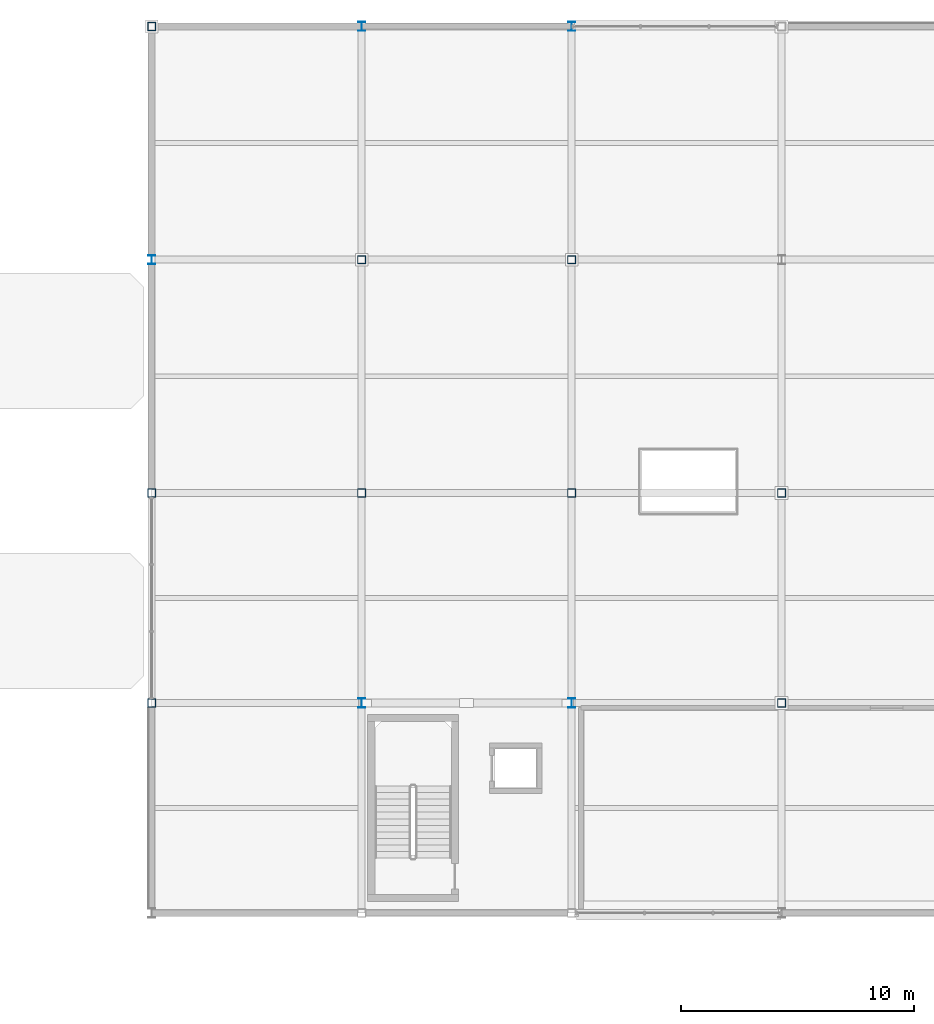
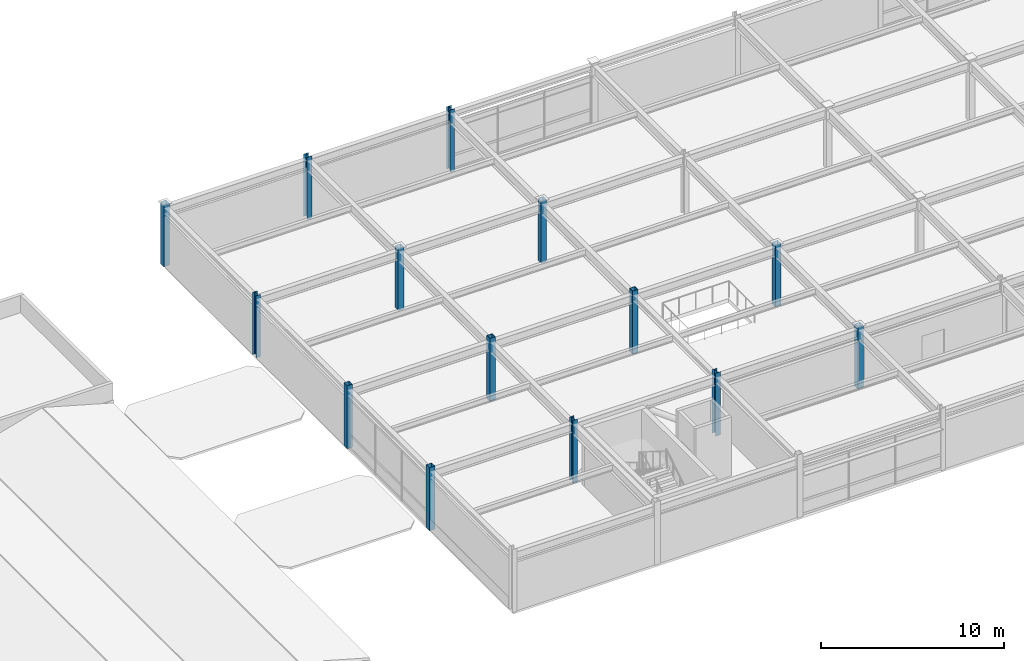
# One storey, part 3 of 40: 14 columns.
"""IFC4 building model written with IfcOpenShell, lengths in metres."""

from ifc_helpers import new_model, si_unit, direction, frame, origin, origin_2d, place, context, subcontext, project, spatial, hollow_rectangle, i_section, extrude, material, material_profile, profile_set, type_object, element, save


model = new_model("IFC4")

# Units and contexts
model_context = context("Model", 3, precision=1e-05, world=origin(), true_north=direction((0.0, 1.0)))
body_context = subcontext(model_context, "Body", "Model", "MODEL_VIEW")
ifc_project = project(units=[si_unit("LENGTHUNIT", "METRE"), si_unit("AREAUNIT", "SQUARE_METRE"), si_unit("VOLUMEUNIT", "CUBIC_METRE"), si_unit("PLANEANGLEUNIT", "RADIAN"), si_unit("MASSUNIT", "GRAM", prefix="KILO")], contexts=[model_context])

# Site, building, storey
site_placement = place(None, origin())
site = spatial("IfcSite", under=ifc_project, at=site_placement, CompositionType="ELEMENT")
building_placement = place(site_placement, origin())
building = spatial("IfcBuilding", under=site, at=building_placement, Name="Suzunagisa Mobility Hub", CompositionType="ELEMENT")
storey_placement = place(building_placement, frame((0.0, 0.0, 21.89990234375)))
storey = spatial("IfcBuildingStorey", under=building, at=storey_placement, Name="L05", CompositionType="ELEMENT", Elevation=21.89990234375)

# Columns
ifc_material = material(Name="Steel SN490B", Category="steel")
ifc_material_profile_1 = material_profile(ifc_material, hollow_rectangle(XDim=0.35009765625, YDim=0.35009765625, WallThickness=0.01611328125, at=origin_2d()), Name="BCR-350x350x16")
ifc_profile_set_1 = profile_set([ifc_material_profile_1], Name="Steel SN490B")
column_type_1 = type_object("IfcColumnType", Name="Steel Column CL-04 BCR-350x350x16", PredefinedType="COLUMN", material=ifc_profile_set_1)
for number, where, z_axis, x_axis, name in (
    (1, (45.0, 89.0, 0.0), (0.0, 0.0, 1.0), (1.0, 0.0, 0.0), "L05 Column 119"),
    (2, (45.0, 98.0, 0.0), (0.0, 0.0, 1.0), (1.0, 0.0, 0.0), "L05 Column 120"),
):
    element("IfcColumn", number, at=place(storey_placement, frame(where, z_axis=z_axis, x_axis=x_axis)), inside=storey, type_object=column_type_1, Name=name, PredefinedType="COLUMN", context=body_context, shape_type="SweptSolid", body=[
        extrude(hollow_rectangle(XDim=0.35009765625, YDim=0.35009765625, WallThickness=0.01611328125, at=origin_2d()), origin(), (0.0, 0.0, 1.0), 4.2001953125),
    ])
column_1_placement = place(storey_placement, frame((45.0, 118.0, 0.0), z_axis=(0.0, 0.0, 1.0), x_axis=(1.0, 0.0, 0.0)))
element("IfcColumn", 3, at=column_1_placement, inside=storey, type_object=column_type_1, Name="L05 Column 122", PredefinedType="COLUMN", context=body_context, shape_type="SweptSolid", body=[
    extrude(hollow_rectangle(XDim=0.35009765625, YDim=0.35009765625, WallThickness=0.01611328125, at=origin_2d()), origin(), (0.0, 0.0, 1.0), 4.14013671875),
])
column_2_placement = place(storey_placement, frame((54.0, 98.0, 0.0), z_axis=(0.0, 0.0, 1.0), x_axis=(1.0, 0.0, 0.0)))
element("IfcColumn", 4, at=column_2_placement, inside=storey, type_object=column_type_1, Name="L05 Column 131", PredefinedType="COLUMN", context=body_context, shape_type="SweptSolid", body=[
    extrude(hollow_rectangle(XDim=0.35009765625, YDim=0.35009765625, WallThickness=0.01611328125, at=origin_2d()), origin(), (0.0, 0.0, 1.0), 4.2001953125),
])
column_3_placement = place(storey_placement, frame((54.0, 108.0, 0.0), z_axis=(0.0, 0.0, 1.0), x_axis=(1.0, 0.0, 0.0)))
element("IfcColumn", 5, at=column_3_placement, inside=storey, type_object=column_type_1, Name="L05 Column 132", PredefinedType="COLUMN", context=body_context, shape_type="SweptSolid", body=[
    extrude(hollow_rectangle(XDim=0.35009765625, YDim=0.35009765625, WallThickness=0.01611328125, at=origin_2d()), origin(), (0.0, 0.0, 1.0), 4.14013671875),
])
column_4_placement = place(storey_placement, frame((63.0, 98.0, 0.0), z_axis=(0.0, 0.0, 1.0), x_axis=(1.0, 0.0, 0.0)))
element("IfcColumn", 6, at=column_4_placement, inside=storey, type_object=column_type_1, Name="L05 Column 140", PredefinedType="COLUMN", context=body_context, shape_type="SweptSolid", body=[
    extrude(hollow_rectangle(XDim=0.35009765625, YDim=0.35009765625, WallThickness=0.01611328125, at=origin_2d()), origin(), (0.0, 0.0, 1.0), 4.2001953125),
])
for number, where, z_axis, x_axis, name in (
    (7, (63.0, 108.0, 0.0), (0.0, 0.0, 1.0), (1.0, 0.0, 0.0), "L05 Column 141"),
    (8, (72.0, 89.0, 0.0), (0.0, 0.0, 1.0), (1.0, 0.0, 0.0), "L05 Column 155"),
    (9, (72.0, 98.0, 0.0), (0.0, 0.0, 1.0), (1.0, 0.0, 0.0), "L05 Column 156"),
):
    element("IfcColumn", number, at=place(storey_placement, frame(where, z_axis=z_axis, x_axis=x_axis)), inside=storey, type_object=column_type_1, Name=name, PredefinedType="COLUMN", context=body_context, shape_type="SweptSolid", body=[
        extrude(hollow_rectangle(XDim=0.35009765625, YDim=0.35009765625, WallThickness=0.01611328125, at=origin_2d()), origin(), (0.0, 0.0, 1.0), 4.14013671875),
    ])
ifc_material_profile_2 = material_profile(ifc_material, i_section(OverallWidth=0.300048828125, OverallDepth=0.389892578125, WebThickness=0.010009765625, FlangeThickness=0.01611328125, FilletRadius=0.012939453125, at=origin_2d()), Name="H-390x300x10x16")
ifc_profile_set_2 = profile_set([ifc_material_profile_2], Name="Steel SN490B")
column_type_2 = type_object("IfcColumnType", Name="Steel Column CL-07 H-390x300x10x16", PredefinedType="COLUMN", material=ifc_profile_set_2)
column_5_placement = place(storey_placement, frame((45.0, 108.0, 0.0), z_axis=(0.0, 0.0, 1.0), x_axis=(1.0, 0.0, 0.0)))
element("IfcColumn", 10, at=column_5_placement, inside=storey, type_object=column_type_2, Name="L05 Column 121", PredefinedType="COLUMN", context=body_context, shape_type="SweptSolid", body=[
    extrude(i_section(OverallWidth=0.300048828125, OverallDepth=0.389892578125, WebThickness=0.010009765625, FlangeThickness=0.01611328125, FilletRadius=0.012939453125, at=origin_2d()), origin(), (0.0, 0.0, 1.0), 4.14013671875),
])
column_6_placement = place(storey_placement, frame((54.0, 89.0, 0.0), z_axis=(0.0, 0.0, 1.0), x_axis=(1.0, 0.0, 0.0)))
element("IfcColumn", 11, at=column_6_placement, inside=storey, type_object=column_type_2, Name="L05 Column 130", PredefinedType="COLUMN", context=body_context, shape_type="SweptSolid", body=[
    extrude(i_section(OverallWidth=0.300048828125, OverallDepth=0.389892578125, WebThickness=0.010009765625, FlangeThickness=0.01611328125, FilletRadius=0.012939453125, at=origin_2d()), origin(), (0.0, 0.0, 1.0), 4.2001953125),
])
column_7_placement = place(storey_placement, frame((54.0, 118.0, 0.0), z_axis=(0.0, 0.0, 1.0), x_axis=(1.0, 0.0, 0.0)))
element("IfcColumn", 12, at=column_7_placement, inside=storey, type_object=column_type_2, Name="L05 Column 133", PredefinedType="COLUMN", context=body_context, shape_type="SweptSolid", body=[
    extrude(i_section(OverallWidth=0.300048828125, OverallDepth=0.389892578125, WebThickness=0.010009765625, FlangeThickness=0.01611328125, FilletRadius=0.012939453125, at=origin_2d()), origin(), (0.0, 0.0, 1.0), 4.14013671875),
])
column_8_placement = place(storey_placement, frame((63.0, 89.0, 0.0), z_axis=(0.0, 0.0, 1.0), x_axis=(1.0, 0.0, 0.0)))
element("IfcColumn", 13, at=column_8_placement, inside=storey, type_object=column_type_2, Name="L05 Column 139", PredefinedType="COLUMN", context=body_context, shape_type="SweptSolid", body=[
    extrude(i_section(OverallWidth=0.300048828125, OverallDepth=0.389892578125, WebThickness=0.010009765625, FlangeThickness=0.01611328125, FilletRadius=0.012939453125, at=origin_2d()), origin(), (0.0, 0.0, 1.0), 4.2001953125),
])
column_9_placement = place(storey_placement, frame((63.0, 118.0, 0.0), z_axis=(0.0, 0.0, 1.0), x_axis=(1.0, 0.0, 0.0)))
element("IfcColumn", 14, at=column_9_placement, inside=storey, type_object=column_type_2, Name="L05 Column 142", PredefinedType="COLUMN", context=body_context, shape_type="SweptSolid", body=[
    extrude(i_section(OverallWidth=0.300048828125, OverallDepth=0.389892578125, WebThickness=0.010009765625, FlangeThickness=0.01611328125, FilletRadius=0.012939453125, at=origin_2d()), origin(), (0.0, 0.0, 1.0), 4.14013671875),
])

save(model, "model.ifc")
